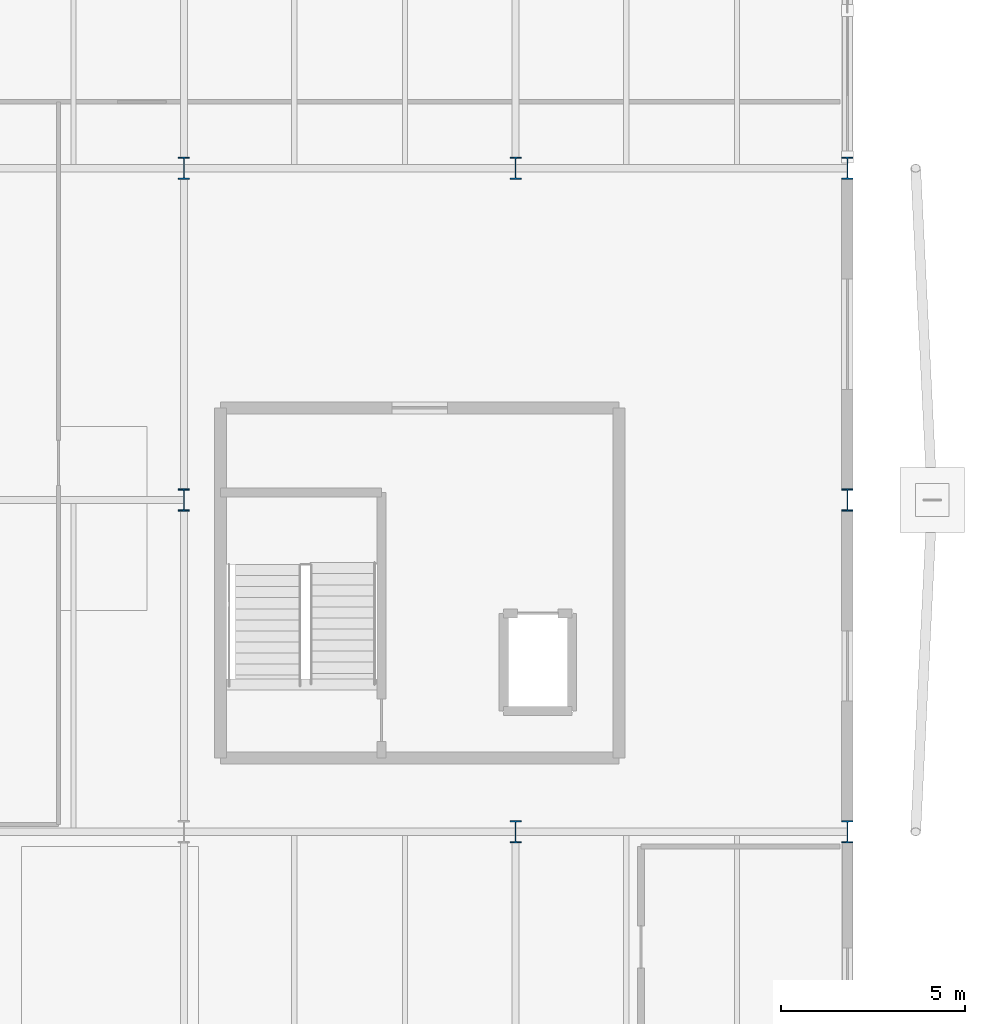
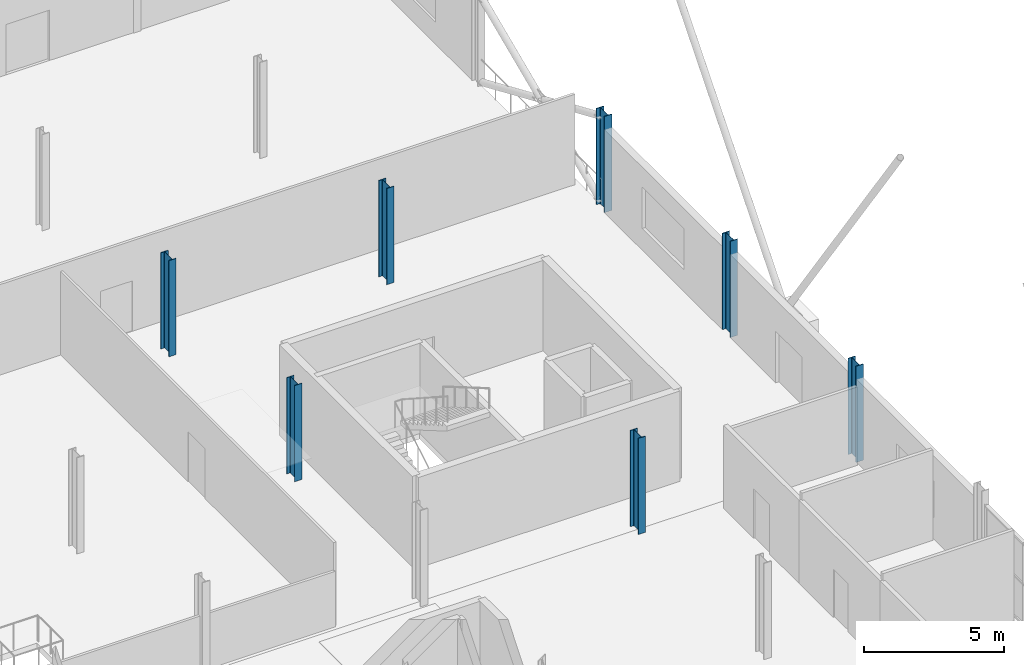
# One storey, part 19 of 140: 7 columns.
"""IFC4 building model written with IfcOpenShell, lengths in metres."""

from ifc_helpers import new_model, si_unit, direction, frame, origin, origin_2d, place, context, subcontext, project, spatial, i_section, extrude, material, material_profile, profile_set, type_object, element, save


model = new_model("IFC4")

# Units and contexts
model_context = context("Model", 3, precision=1e-05, world=origin(), true_north=direction((0.0, 1.0)))
body_context = subcontext(model_context, "Body", "Model", "MODEL_VIEW")
ifc_project = project(units=[si_unit("LENGTHUNIT", "METRE"), si_unit("AREAUNIT", "SQUARE_METRE"), si_unit("VOLUMEUNIT", "CUBIC_METRE"), si_unit("PLANEANGLEUNIT", "RADIAN"), si_unit("MASSUNIT", "GRAM", prefix="KILO")], contexts=[model_context])

# Site, building, storey
site_placement = place(None, origin())
site = spatial("IfcSite", under=ifc_project, at=site_placement, CompositionType="ELEMENT")
building_placement = place(site_placement, origin())
building = spatial("IfcBuilding", under=site, at=building_placement, Name="Deido Ridge Mobility Hub", CompositionType="ELEMENT")
storey_placement = place(building_placement, origin())
storey = spatial("IfcBuildingStorey", under=building, at=storey_placement, Name="L00", CompositionType="ELEMENT", Elevation=0.0)

# Columns
ifc_material = material(Name="Steel S355J2 EN 10025-2", Category="steel")
ifc_material_profile = material_profile(ifc_material, i_section(OverallWidth=0.300048828125, OverallDepth=0.60009765625, WebThickness=0.015380859375, FlangeThickness=0.030029296875, FilletRadius=0.027099609375, at=origin_2d()), Name="HEB 600")
ifc_profile_set = profile_set([ifc_material_profile], Name="Steel S355J2 EN 10025-2")
column_type = type_object("IfcColumnType", Name="COL-HEB600", PredefinedType="COLUMN", material=ifc_profile_set)
for number, where, z_axis, x_axis, name in (
    (1, (171.0, 36.0, 0.0), (0.0, 0.0, 1.0), (1.0, 0.0, 0.0), "Structural column C4"),
    (2, (180.0, 36.0, 0.0), (0.0, 0.0, 1.0), (1.0, 0.0, 0.0), "Structural column C4"),
    (3, (162.0, 45.0, 0.0), (0.0, 0.0, 1.0), (1.0, 0.0, 0.0), "Structural column C4"),
    (4, (180.0, 45.0, 0.0), (0.0, 0.0, 1.0), (1.0, 0.0, 0.0), "Structural column C4"),
    (5, (162.0, 54.0, 0.0), (0.0, 0.0, 1.0), (1.0, 0.0, 0.0), "Structural column C4"),
    (6, (171.0, 54.0, 0.0), (0.0, 0.0, 1.0), (1.0, 0.0, 0.0), "Structural column C4"),
    (7, (180.0, 54.0, 0.0), (0.0, 0.0, 1.0), (1.0, 0.0, 0.0), "Structural column C4"),
):
    element("IfcColumn", number, at=place(storey_placement, frame(where, z_axis=z_axis, x_axis=x_axis)), inside=storey, type_object=column_type, Name=name, PredefinedType="COLUMN", context=body_context, shape_type="SweptSolid", body=[
        extrude(i_section(OverallWidth=0.300048828125, OverallDepth=0.60009765625, WebThickness=0.015380859375, FlangeThickness=0.030029296875, FilletRadius=0.027099609375, at=origin_2d()), origin(), (0.0, 0.0, 1.0), 4.199951171875),
    ])

save(model, "model.ifc")
